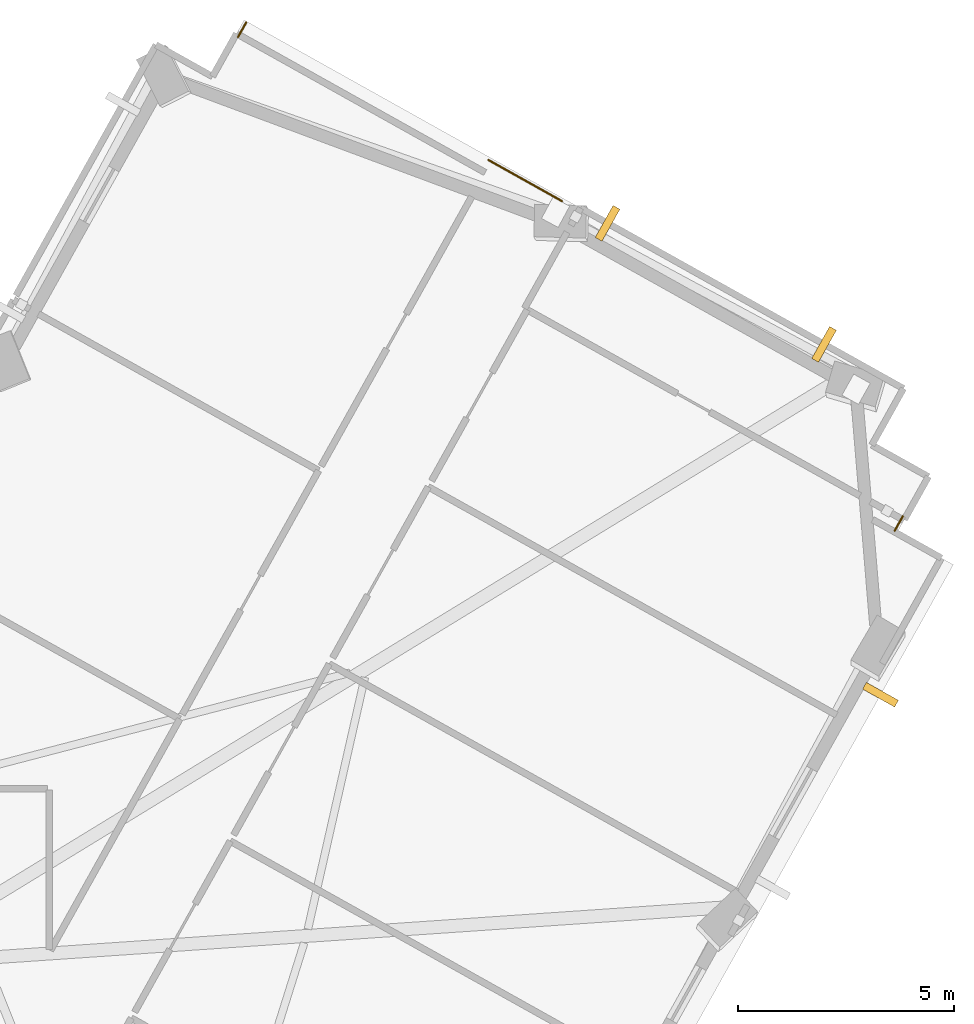
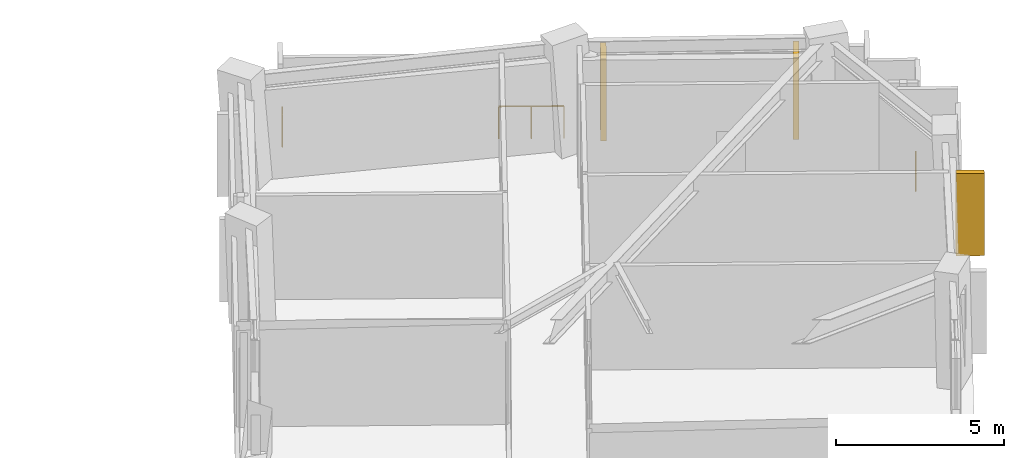
# One storey, part 11 of 11: 3 railings, 3 shading devices.
"""IFC4 building model written with IfcOpenShell, lengths in metres."""

from ifc_helpers import new_model, si_unit, direction, frame, origin, origin_2d, place, context, subcontext, project, spatial, rectangle, circle, extrude, material, layer, layer_set, type_object, element, save


model = new_model("IFC4")

# Units and contexts
model_context = context("Model", 3, precision=1e-05, world=origin(), true_north=direction((0.0, 1.0)))
body_context = subcontext(model_context, "Body", "Model", "MODEL_VIEW")
ifc_project = project(units=[si_unit("LENGTHUNIT", "METRE"), si_unit("AREAUNIT", "SQUARE_METRE"), si_unit("VOLUMEUNIT", "CUBIC_METRE"), si_unit("PLANEANGLEUNIT", "RADIAN"), si_unit("MASSUNIT", "GRAM", prefix="KILO")], contexts=[model_context])

# Site, building, storey
site_placement = place(None, origin())
site = spatial("IfcSite", under=ifc_project, at=site_placement, CompositionType="ELEMENT")
building_placement = place(site_placement, origin())
building = spatial("IfcBuilding", under=site, at=building_placement, Name="Gaonmaruhae Medical Tower", CompositionType="ELEMENT")
storey_placement = place(building_placement, frame((0.0, 0.0, 284.60009765625)))
storey = spatial("IfcBuildingStorey", under=building, at=storey_placement, Name="L68", CompositionType="ELEMENT", Elevation=284.60009765625)

# Railings
ifc_material_1 = material(Name="Stainless steel 316L and laminated safety glass", Category="steel")
ifc_layer = layer(ifc_material_1, 0.080078125)
ifc_layer_set = layer_set([ifc_layer], Name="Stainless steel 316L and laminated safety glass")
railing_type = type_object("IfcRailingType", Name="GD-120 Outdoor Terrace Safety Glass & Steel Balustrade", PredefinedType="BALUSTRADE", material=ifc_layer_set)
railing_1_placement = place(storey_placement, frame((43.8583984375, 38.297119140625, 0.0)))
element("IfcRailing", 1, at=railing_1_placement, inside=storey, type_object=railing_type, Name="L68 Perimeter Slab Edge Safety Balustrade 02", PredefinedType="BALUSTRADE", context=body_context, shape_type="SweptSolid", body=[
    extrude(circle(Radius=0.02392578125, at=origin_2d()), frame((0.0, 0.0, 1.17578125), z_axis=(0.487696193484, 0.873013415053, 0.0), x_axis=(-0.873013415053, 0.487696193484, 0.0)), (0.0, 0.0, 1.0), 0.3935546875),
    extrude(circle(Radius=0.02099609375, at=origin_2d()), origin(), (0.0, 0.0, 1.0), 1.15185546875),
    extrude(circle(Radius=0.02099609375, at=origin_2d()), frame((0.19189453125, 0.343505859375, 0.0)), (0.0, 0.0, 1.0), 1.15185546875),
])
railing_2_placement = place(storey_placement, frame((49.662353515625, 35.44677734375, 0.0)))
element("IfcRailing", 2, at=railing_2_placement, inside=storey, type_object=railing_type, Name="L68 Perimeter Slab Edge Safety Balustrade 03", PredefinedType="BALUSTRADE", context=body_context, shape_type="SweptSolid", body=[
    extrude(circle(Radius=0.02392578125, at=origin_2d()), frame((0.0, 0.0, 1.17578125), z_axis=(0.872929337921, -0.487846667506, 0.0), x_axis=(0.487846667506, 0.872929337921, 0.0)), (0.0, 0.0, 1.0), 1.94580078125),
    extrude(circle(Radius=0.02099609375, at=origin_2d()), origin(), (0.0, 0.0, 1.0), 1.15185546875),
    extrude(circle(Radius=0.02099609375, at=origin_2d()), frame((0.84912109375, -0.474609375, 0.0)), (0.0, 0.0, 1.0), 1.15185546875),
    extrude(circle(Radius=0.02099609375, at=origin_2d()), frame((1.698486328125, -0.94921875, 0.0)), (0.0, 0.0, 1.0), 1.15185546875),
])
railing_3_placement = place(storey_placement, frame((59.26123046875, 27.19921875, 0.0)))
element("IfcRailing", 3, at=railing_3_placement, inside=storey, type_object=railing_type, Name="L68 Perimeter Slab Edge Safety Balustrade 04", PredefinedType="BALUSTRADE", context=body_context, shape_type="SweptSolid", body=[
    extrude(circle(Radius=0.02392578125, at=origin_2d()), frame((0.0, 0.0, 1.17578125), z_axis=(-0.487223079532, -0.873277545097, 0.0), x_axis=(0.873277545097, -0.487223079532, 0.0)), (0.0, 0.0, 1.0), 0.393310546875),
    extrude(circle(Radius=0.02099609375, at=origin_2d()), origin(), (0.0, 0.0, 1.0), 1.15185546875),
    extrude(circle(Radius=0.02099609375, at=origin_2d()), frame((-0.191650390625, -0.343505859375, 0.0)), (0.0, 0.0, 1.0), 1.15185546875),
])

# Shading devices
ifc_material_2 = material(Name="Pigmented coral precast concrete C45/55", Category="concrete")
shading_device_type = type_object("IfcShadingDeviceType", Name="SD-FIN1 Tower Vertical Coral Precast Shading Fin", PredefinedType="USERDEFINED", material=ifc_material_2)
for number, where, z_axis, x_axis, name in (
    (4, (58.741943359375, 23.0615234375, 0.13232421875), (0.0, 0.0, 1.0), (-0.487859659139, -0.87292207727, 0.0), "L68 Vertical Coral Precast Shading Fin S05"),
    (5, (52.418701171875, 33.980712890625, 0.13232421875), (0.0, 0.0, 1.0), (0.87291356238, -0.487874894429, 0.0), "L68 Vertical Coral Precast Shading Fin E01"),
    (6, (57.434814453125, 31.177490234375, 0.13232421875), (0.0, 0.0, 1.0), (0.87291356238, -0.487874894429, 0.0), "L68 Vertical Coral Precast Shading Fin E01B"),
):
    element("IfcShadingDevice", number, at=place(storey_placement, frame(where, z_axis=z_axis, x_axis=x_axis)), inside=storey, type_object=shading_device_type, Name=name, ObjectType="FIN", PredefinedType="USERDEFINED", context=body_context, shape_type="SweptSolid", body=[
        extrude(rectangle(XDim=0.179931640625, YDim=0.85009765625, at=origin_2d()), origin(), (0.0, 0.0, 1.0), 3.0),
    ])

save(model, "model.ifc")
